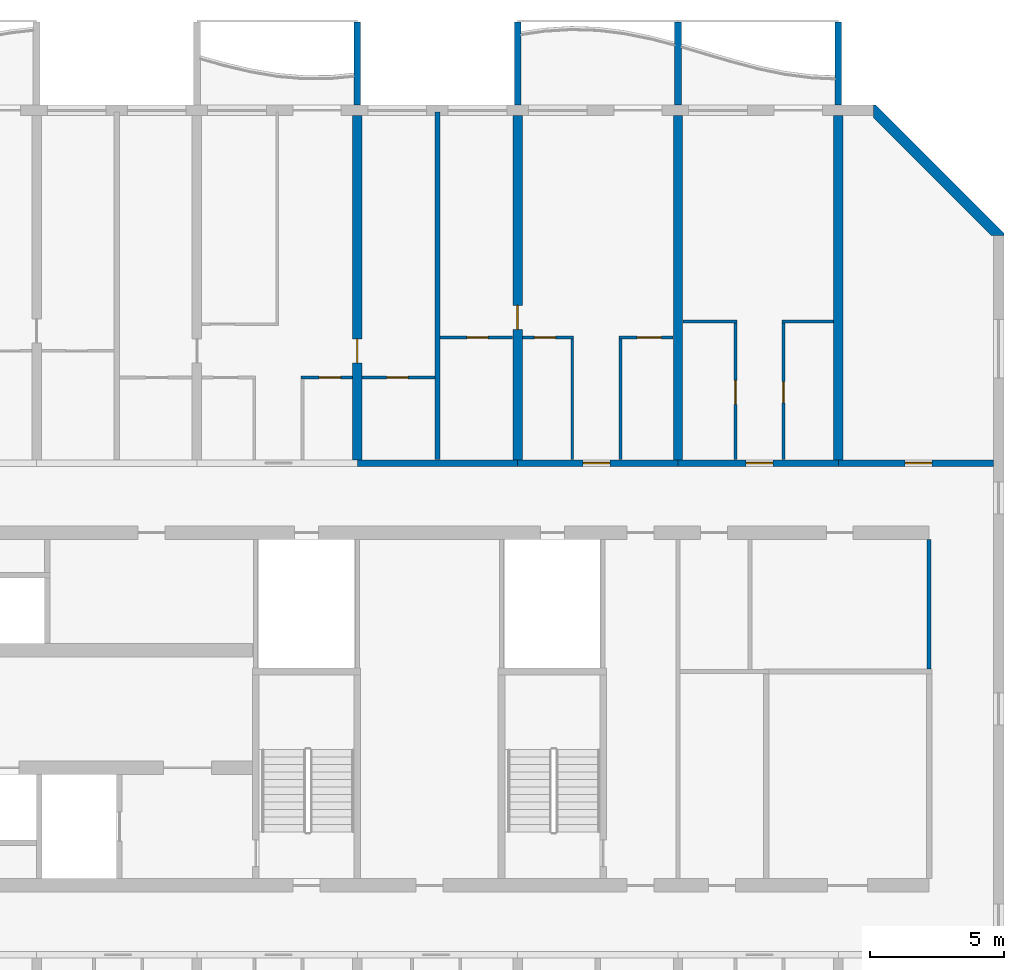
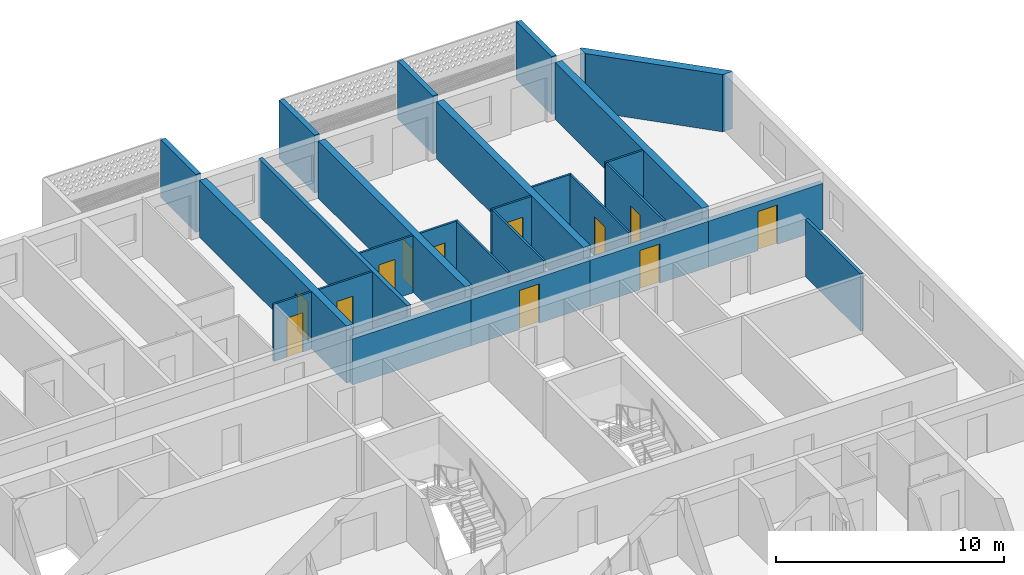
# One storey, part 15 of 27: 26 walls, 12 doors, 12 openings.
"""IFC4 building model written with IfcOpenShell, lengths in metres."""

from ifc_helpers import new_model, si_unit, direction, frame, frame_2d, origin, place, context, subcontext, project, spatial, polyline, rectangle, outline, extrude, source, transform, mapped, material, layer, layer_set, type_object, element, fill, save


model = new_model("IFC4")

# Units and contexts
model_context = context("Model", 3, precision=1e-05, world=origin(), true_north=direction((0.0, 1.0)))
body_context = subcontext(model_context, "Body", "Model", "MODEL_VIEW")
ifc_project = project(units=[si_unit("LENGTHUNIT", "METRE"), si_unit("AREAUNIT", "SQUARE_METRE"), si_unit("VOLUMEUNIT", "CUBIC_METRE"), si_unit("PLANEANGLEUNIT", "RADIAN"), si_unit("MASSUNIT", "GRAM", prefix="KILO")], contexts=[model_context])

# Site, building, storey
site_placement = place(None, origin())
site = spatial("IfcSite", under=ifc_project, at=site_placement, CompositionType="ELEMENT")
building_placement = place(site_placement, origin())
building = spatial("IfcBuilding", under=site, at=building_placement, Name="Poui Terraces", CompositionType="ELEMENT")
storey_placement = place(building_placement, frame((0.0, 0.0, 76.199951171875)))
storey = spatial("IfcBuildingStorey", under=building, at=storey_placement, Name="L20", CompositionType="ELEMENT", Elevation=76.199951171875)

# Walls
ifc_material_1 = material(Name="Fire-rated plasterboard wall")
ifc_layer_1 = layer(ifc_material_1, 0.14990234375)
ifc_layer_set_1 = layer_set([ifc_layer_1], Name="Fire-rated plasterboard wall")
wall_type_1 = type_object("IfcWallType", Name="CORRIDOR WALL 150", PredefinedType="PARTITIONING", material=ifc_layer_set_1)
wall_1_placement = place(storey_placement, frame((93.39990234375, 22.699951171875, 0.0), z_axis=(0.0, 0.0, 1.0), x_axis=(0.0, 1.0, 0.0)))
element("IfcWall", 1, at=wall_1_placement, inside=storey, type_object=wall_type_1, Name="CORRIDOR WALL 150", PredefinedType="PARTITIONING", context=body_context, shape_type="SweptSolid", body=[
    extrude(rectangle(XDim=4.840087890625, YDim=0.14990234375, at=frame_2d((2.419921875, 0.0))), origin(), (0.0, 0.0, 1.0), 3.06005859375),
])
ifc_material_2 = material(Name="Concrete 65 MPa", Category="concrete")
ifc_layer_2 = layer(ifc_material_2, 0.25)
ifc_layer_set_2 = layer_set([ifc_layer_2], Name="Concrete 65 MPa")
wall_type_2 = type_object("IfcWallType", Name="CORRIDOR WALL 250 65MPa", PredefinedType="SHEAR", material=ifc_layer_set_2)
wall_2_placement = place(storey_placement, frame((72.0, 30.39990234375, 0.0), z_axis=(0.0, 0.0, 1.0), x_axis=(1.0, 0.0, 0.0)))
element("IfcWall", 2, at=wall_2_placement, inside=storey, type_object=wall_type_2, Name="CORRIDOR WALL LINE E BAY 12", PredefinedType="SHEAR", context=body_context, shape_type="SweptSolid", body=[
    extrude(rectangle(XDim=6.0, YDim=0.25, at=frame_2d((3.0, 0.0))), origin(), (0.0, 0.0, 1.0), 2.4599609375),
])

# Wall, opening, door
wall_3_placement = place(storey_placement, frame((78.0, 30.39990234375, 0.0), z_axis=(0.0, 0.0, 1.0), x_axis=(1.0, 0.0, 0.0)))
wall_3 = element("IfcWall", 3, at=wall_3_placement, inside=storey, type_object=wall_type_2, Name="CORRIDOR WALL LINE E BAY 13", PredefinedType="SHEAR", context=body_context, shape_type="SweptSolid", body=[
    extrude(rectangle(XDim=6.0, YDim=0.25, at=frame_2d((3.0, 0.0))), origin(), (0.0, 0.0, 1.0), 2.4599609375),
])
opening_1_placement = place(wall_3_placement, frame((2.449951171875, 0.0, 0.0)))
opening_1 = element("IfcOpeningElement", 4, at=opening_1_placement, cuts=wall_3, Name="Opening FD30S", PredefinedType="OPENING", context=body_context, shape_type="SweptSolid", body=[
    extrude(rectangle(XDim=1.0, YDim=2.10009765625, at=frame_2d((0.5, 1.050048828125))), frame((0.0, 0.135009765625, 0.0), z_axis=(0.0, -1.0, 0.0), x_axis=(1.0, 0.0, 0.0)), (0.0, 0.0, 1.0), 0.27001953125),
])
ifc_material_3 = material(Name="Steel fire door", Category="steel")
door_type_1 = type_object("IfcDoorType", Name="FLAT ENTRANCE DOOR 1000 X 2100", OperationType="NOTDEFINED", PredefinedType="DOOR", material=ifc_material_3)
door_1_placement = place(opening_1_placement, origin())
door_1 = element("IfcDoor", 5, at=door_1_placement, inside=storey, type_object=door_type_1, Name="FLAT ENTRANCE DOOR 077", OperationType="SINGLE_SWING_LEFT", OverallHeight=2.10009765625, OverallWidth=1.0, PredefinedType="DOOR", context=body_context, shape_type="SweptSolid", body=[
    extrude(rectangle(XDim=1.0, YDim=2.10009765625, at=frame_2d((0.5, 1.050048828125))), frame((0.0, 0.02490234375, 0.0), z_axis=(0.0, -1.0, 0.0), x_axis=(1.0, 0.0, 0.0)), (0.0, 0.0, 1.0), 0.050048828125),
])
fill(opening_1, door_1)

wall_4_placement = place(storey_placement, frame((84.0, 30.39990234375, 0.0), z_axis=(0.0, 0.0, 1.0), x_axis=(1.0, 0.0, 0.0)))
wall_4 = element("IfcWall", 6, at=wall_4_placement, inside=storey, type_object=wall_type_2, Name="CORRIDOR WALL LINE E BAY 14", PredefinedType="SHEAR", context=body_context, shape_type="SweptSolid", body=[
    extrude(rectangle(XDim=6.0, YDim=0.25, at=frame_2d((3.0, 0.0))), origin(), (0.0, 0.0, 1.0), 2.4599609375),
])
opening_2_placement = place(wall_4_placement, frame((2.550048828125, 0.0, 0.0)))
opening_2 = element("IfcOpeningElement", 7, at=opening_2_placement, cuts=wall_4, Name="Opening FD30S", PredefinedType="OPENING", context=body_context, shape_type="SweptSolid", body=[
    extrude(rectangle(XDim=1.0, YDim=2.10009765625, at=frame_2d((0.5, 1.050048828125))), frame((0.0, 0.135009765625, 0.0), z_axis=(0.0, -1.0, 0.0), x_axis=(1.0, 0.0, 0.0)), (0.0, 0.0, 1.0), 0.27001953125),
])
door_2_placement = place(opening_2_placement, origin())
door_2 = element("IfcDoor", 8, at=door_2_placement, inside=storey, type_object=door_type_1, Name="FLAT ENTRANCE DOOR 080", OperationType="SINGLE_SWING_RIGHT", OverallHeight=2.10009765625, OverallWidth=1.0, PredefinedType="DOOR", context=body_context, shape_type="SweptSolid", body=[
    extrude(rectangle(XDim=1.0, YDim=2.10009765625, at=frame_2d((0.5, 1.050048828125))), frame((0.0, 0.02490234375, 0.0), z_axis=(0.0, -1.0, 0.0), x_axis=(1.0, 0.0, 0.0)), (0.0, 0.0, 1.0), 0.050048828125),
])
fill(opening_2, door_2)

wall_5_placement = place(storey_placement, frame((90.0, 30.39990234375, 0.0), z_axis=(0.0, 0.0, 1.0), x_axis=(1.0, 0.0, 0.0)))
wall_5 = element("IfcWall", 9, at=wall_5_placement, inside=storey, type_object=wall_type_2, Name="CORRIDOR WALL LINE E BAY 15", PredefinedType="SHEAR", context=body_context, shape_type="SweptSolid", body=[
    extrude(rectangle(XDim=5.800048828125, YDim=0.25, at=frame_2d((2.89990234375, 0.0))), origin(), (0.0, 0.0, 1.0), 2.4599609375),
])
opening_3_placement = place(wall_5_placement, frame((2.5, 0.0, 0.0)))
opening_3 = element("IfcOpeningElement", 10, at=opening_3_placement, cuts=wall_5, Name="Opening D100", PredefinedType="OPENING", context=body_context, shape_type="SweptSolid", body=[
    extrude(rectangle(XDim=1.0, YDim=2.10009765625, at=frame_2d((0.5, 1.050048828125))), frame((0.0, 0.135009765625, 0.0), z_axis=(0.0, -1.0, 0.0), x_axis=(1.0, 0.0, 0.0)), (0.0, 0.0, 1.0), 0.27001953125),
])
ifc_material_4 = material(Name="Solid core timber door", Category="wood")
door_type_2 = type_object("IfcDoorType", Name="ACCESSIBLE INTERNAL DOOR 1000 X 2100", OperationType="NOTDEFINED", PredefinedType="DOOR", material=ifc_material_4)
door_3_placement = place(opening_3_placement, origin())
door_3 = element("IfcDoor", 11, at=door_3_placement, inside=storey, type_object=door_type_2, Name="ACCESSIBLE INTERNAL DOOR 082", OperationType="SINGLE_SWING_LEFT", OverallHeight=2.10009765625, OverallWidth=1.0, PredefinedType="DOOR", context=body_context, shape_type="SweptSolid", body=[
    extrude(rectangle(XDim=1.0, YDim=2.10009765625, at=frame_2d((0.5, 1.050048828125))), frame((0.0, 0.02490234375, 0.0), z_axis=(0.0, -1.0, 0.0), x_axis=(1.0, 0.0, 0.0)), (0.0, 0.0, 1.0), 0.050048828125),
])
fill(opening_3, door_3)

ifc_layer_3 = layer(ifc_material_2, 0.35009765625)
ifc_layer_set_3 = layer_set([ifc_layer_3], Name="Concrete 65 MPa")
wall_type_3 = type_object("IfcWallType", Name="CROSS WALL 350 65MPa", PredefinedType="SHEAR", material=ifc_layer_set_3)
wall_6_placement = place(storey_placement, frame((72.0, 30.52490234375, 0.0), z_axis=(0.0, 0.0, 1.0), x_axis=(0.0, 1.0, 0.0)))
wall_6 = element("IfcWall", 12, at=wall_6_placement, inside=storey, type_object=wall_type_3, Name="CROSS WALL LINE 13 NORTH", PredefinedType="SHEAR", context=body_context, shape_type="SweptSolid", body=[
    extrude(rectangle(XDim=12.875, YDim=0.35009765625, at=frame_2d((6.4375, 0.0))), origin(), (0.0, 0.0, 1.0), 3.06005859375),
])
opening_4_placement = place(wall_6_placement, frame((3.625, 0.0, 0.0)))
opening_4 = element("IfcOpeningElement", 13, at=opening_4_placement, cuts=wall_6, Name="Opening D90", PredefinedType="OPENING", context=body_context, shape_type="SweptSolid", body=[
    extrude(rectangle(XDim=0.89990234375, YDim=2.10009765625, at=frame_2d((0.449951171875, 1.050048828125))), frame((0.0, 0.18505859375, 0.0), z_axis=(0.0, -1.0, 0.0), x_axis=(1.0, 0.0, 0.0)), (0.0, 0.0, 1.0), 0.3701171875),
])
door_type_3 = type_object("IfcDoorType", Name="INTERNAL DOOR 900 X 2100", OperationType="NOTDEFINED", PredefinedType="DOOR", material=ifc_material_4)
door_4_placement = place(opening_4_placement, frame((0.89990234375, 0.0, 0.0), z_axis=(0.0, 0.0, 1.0), x_axis=(-1.0, 0.0, 0.0)))
door_4 = element("IfcDoor", 14, at=door_4_placement, inside=storey, type_object=door_type_3, Name="INTERNAL DOOR 073", OperationType="SINGLE_SWING_RIGHT", OverallHeight=2.10009765625, OverallWidth=0.89990234375, PredefinedType="DOOR", context=body_context, shape_type="SweptSolid", body=[
    extrude(rectangle(XDim=0.89990234375, YDim=2.10009765625, at=frame_2d((0.449951171875, 1.050048828125))), frame((0.0, 0.02490234375, 0.0), z_axis=(0.0, -1.0, 0.0), x_axis=(1.0, 0.0, 0.0)), (0.0, 0.0, 1.0), 0.050048828125),
])
fill(opening_4, door_4)

wall_7_placement = place(storey_placement, frame((78.0, 30.52490234375, 0.0), z_axis=(0.0, 0.0, 1.0), x_axis=(0.0, 1.0, 0.0)))
wall_7 = element("IfcWall", 15, at=wall_7_placement, inside=storey, type_object=wall_type_3, Name="CROSS WALL LINE 14 NORTH", PredefinedType="SHEAR", context=body_context, shape_type="SweptSolid", body=[
    extrude(rectangle(XDim=12.875, YDim=0.35009765625, at=frame_2d((6.4375, 0.0))), origin(), (0.0, 0.0, 1.0), 3.06005859375),
])
opening_5_placement = place(wall_7_placement, frame((4.875, 0.0, 0.0)))
opening_5 = element("IfcOpeningElement", 16, at=opening_5_placement, cuts=wall_7, Name="Opening D90", PredefinedType="OPENING", context=body_context, shape_type="SweptSolid", body=[
    extrude(rectangle(XDim=0.89990234375, YDim=2.10009765625, at=frame_2d((0.449951171875, 1.050048828125))), frame((0.0, 0.18505859375, 0.0), z_axis=(0.0, -1.0, 0.0), x_axis=(1.0, 0.0, 0.0)), (0.0, 0.0, 1.0), 0.3701171875),
])
door_5_placement = place(opening_5_placement, origin())
door_5 = element("IfcDoor", 17, at=door_5_placement, inside=storey, type_object=door_type_3, Name="INTERNAL DOOR 075", OperationType="SINGLE_SWING_LEFT", OverallHeight=2.10009765625, OverallWidth=0.89990234375, PredefinedType="DOOR", context=body_context, shape_type="SweptSolid", body=[
    extrude(rectangle(XDim=0.89990234375, YDim=2.10009765625, at=frame_2d((0.449951171875, 1.050048828125))), frame((0.0, 0.02490234375, 0.0), z_axis=(0.0, -1.0, 0.0), x_axis=(1.0, 0.0, 0.0)), (0.0, 0.0, 1.0), 0.050048828125),
])
fill(opening_5, door_5)

# Walls
for number, where, z_axis, x_axis, name in (
    (18, (84.0, 30.52490234375, 0.0), (0.0, 0.0, 1.0), (0.0, 1.0, 0.0), "CROSS WALL LINE 15 NORTH"),
    (19, (90.0, 30.52490234375, 0.0), (0.0, 0.0, 1.0), (0.0, 1.0, 0.0), "CROSS WALL LINE 16 NORTH"),
):
    element("IfcWall", number, at=place(storey_placement, frame(where, z_axis=z_axis, x_axis=x_axis)), inside=storey, type_object=wall_type_3, Name=name, PredefinedType="SHEAR", context=body_context, shape_type="SweptSolid", body=[
        extrude(rectangle(XDim=12.875, YDim=0.35009765625, at=frame_2d((6.4375, 0.0))), origin(), (0.0, 0.0, 1.0), 3.06005859375),
    ])

# Wall, opening, door
ifc_material_5 = material(Name="Plasterboard partition")
ifc_layer_4 = layer(ifc_material_5, 0.10009765625)
ifc_layer_set_4 = layer_set([ifc_layer_4], Name="Plasterboard partition")
wall_type_4 = type_object("IfcWallType", Name="FLAT PARTITION 100", PredefinedType="PARTITIONING", material=ifc_layer_set_4)
wall_8_placement = place(storey_placement, frame((69.89990234375, 33.60009765625, 0.0), z_axis=(0.0, 0.0, 1.0), x_axis=(1.0, 0.0, 0.0)))
wall_8 = element("IfcWall", 20, at=wall_8_placement, inside=storey, type_object=wall_type_4, Name="FLAT PARTITION 100", PredefinedType="PARTITIONING", context=body_context, shape_type="SweptSolid", body=[
    extrude(rectangle(XDim=1.9150390625, YDim=0.10009765625, at=frame_2d((0.95751953125, 0.0))), origin(), (0.0, 0.0, 1.0), 3.06005859375),
])
opening_6_placement = place(wall_8_placement, frame((0.675048828125, 0.0, 0.0)))
opening_6 = element("IfcOpeningElement", 21, at=opening_6_placement, cuts=wall_8, Name="Opening D80", PredefinedType="OPENING", context=body_context, shape_type="SweptSolid", body=[
    extrude(rectangle(XDim=0.800048828125, YDim=2.10009765625, at=frame_2d((0.39990234375, 1.050048828125))), frame((0.0, 0.06005859375, 0.0), z_axis=(0.0, -1.0, 0.0), x_axis=(1.0, 0.0, 0.0)), (0.0, 0.0, 1.0), 0.1201171875),
])
door_type_4 = type_object("IfcDoorType", Name="BATHROOM, LAUNDRY AND STORE DOOR 800 X 2100", OperationType="NOTDEFINED", PredefinedType="DOOR", material=ifc_material_4)
door_6_placement = place(opening_6_placement, frame((0.800048828125, 0.0, 0.0), z_axis=(0.0, 0.0, 1.0), x_axis=(-1.0, 0.0, 0.0)))
door_6 = element("IfcDoor", 22, at=door_6_placement, inside=storey, type_object=door_type_4, Name="BATHROOM, LAUNDRY AND STORE DOOR 072", OperationType="SINGLE_SWING_LEFT", OverallHeight=2.10009765625, OverallWidth=0.800048828125, PredefinedType="DOOR", context=body_context, shape_type="SweptSolid", body=[
    extrude(rectangle(XDim=0.800048828125, YDim=2.10009765625, at=frame_2d((0.39990234375, 1.050048828125))), frame((0.0, 0.02490234375, 0.0), z_axis=(0.0, -1.0, 0.0), x_axis=(1.0, 0.0, 0.0)), (0.0, 0.0, 1.0), 0.050048828125),
])
fill(opening_6, door_6)

wall_9_placement = place(storey_placement, frame((72.18505859375, 33.60009765625, 0.0), z_axis=(0.0, 0.0, 1.0), x_axis=(1.0, 0.0, 0.0)))
wall_9 = element("IfcWall", 23, at=wall_9_placement, inside=storey, type_object=wall_type_4, Name="FLAT PARTITION 100", PredefinedType="PARTITIONING", context=body_context, shape_type="SweptSolid", body=[
    extrude(rectangle(XDim=2.71484375, YDim=0.10009765625, at=frame_2d((1.357421875, 0.0))), origin(), (0.0, 0.0, 1.0), 3.06005859375),
])
opening_7_placement = place(wall_9_placement, frame((0.9150390625, 0.0, 0.0)))
opening_7 = element("IfcOpeningElement", 24, at=opening_7_placement, cuts=wall_9, Name="Opening D80", PredefinedType="OPENING", context=body_context, shape_type="SweptSolid", body=[
    extrude(rectangle(XDim=0.800048828125, YDim=2.10009765625, at=frame_2d((0.39990234375, 1.050048828125))), frame((0.0, 0.06005859375, 0.0), z_axis=(0.0, -1.0, 0.0), x_axis=(1.0, 0.0, 0.0)), (0.0, 0.0, 1.0), 0.1201171875),
])
door_7_placement = place(opening_7_placement, frame((0.800048828125, 0.0, 0.0), z_axis=(0.0, 0.0, 1.0), x_axis=(-1.0, 0.0, 0.0)))
door_7 = element("IfcDoor", 25, at=door_7_placement, inside=storey, type_object=door_type_4, Name="BATHROOM, LAUNDRY AND STORE DOOR 067", OperationType="SINGLE_SWING_RIGHT", OverallHeight=2.10009765625, OverallWidth=0.800048828125, PredefinedType="DOOR", context=body_context, shape_type="SweptSolid", body=[
    extrude(rectangle(XDim=0.800048828125, YDim=2.10009765625, at=frame_2d((0.39990234375, 1.050048828125))), frame((0.0, 0.02490234375, 0.0), z_axis=(0.0, -1.0, 0.0), x_axis=(1.0, 0.0, 0.0)), (0.0, 0.0, 1.0), 0.050048828125),
])
fill(opening_7, door_7)

wall_10_placement = place(storey_placement, frame((75.10009765625, 35.10009765625, 0.0), z_axis=(0.0, 0.0, 1.0), x_axis=(1.0, 0.0, 0.0)))
wall_10 = element("IfcWall", 26, at=wall_10_placement, inside=storey, type_object=wall_type_4, Name="FLAT PARTITION 100", PredefinedType="PARTITIONING", context=body_context, shape_type="SweptSolid", body=[
    extrude(rectangle(XDim=2.71484375, YDim=0.10009765625, at=frame_2d((1.357421875, 0.0))), origin(), (0.0, 0.0, 1.0), 3.06005859375),
])
opening_8_placement = place(wall_10_placement, frame((1.0, 0.0, 0.0)))
opening_8 = element("IfcOpeningElement", 27, at=opening_8_placement, cuts=wall_10, Name="Opening D80", PredefinedType="OPENING", context=body_context, shape_type="SweptSolid", body=[
    extrude(rectangle(XDim=0.800048828125, YDim=2.10009765625, at=frame_2d((0.39990234375, 1.050048828125))), frame((0.0, 0.06005859375, 0.0), z_axis=(0.0, -1.0, 0.0), x_axis=(1.0, 0.0, 0.0)), (0.0, 0.0, 1.0), 0.1201171875),
])
door_8_placement = place(opening_8_placement, frame((0.800048828125, 0.0, 0.0), z_axis=(0.0, 0.0, 1.0), x_axis=(-1.0, 0.0, 0.0)))
door_8 = element("IfcDoor", 28, at=door_8_placement, inside=storey, type_object=door_type_4, Name="BATHROOM, LAUNDRY AND STORE DOOR 074", OperationType="SINGLE_SWING_LEFT", OverallHeight=2.10009765625, OverallWidth=0.800048828125, PredefinedType="DOOR", context=body_context, shape_type="SweptSolid", body=[
    extrude(rectangle(XDim=0.800048828125, YDim=2.10009765625, at=frame_2d((0.39990234375, 1.050048828125))), frame((0.0, 0.02490234375, 0.0), z_axis=(0.0, -1.0, 0.0), x_axis=(1.0, 0.0, 0.0)), (0.0, 0.0, 1.0), 0.050048828125),
])
fill(opening_8, door_8)

wall_11_placement = place(storey_placement, frame((78.18505859375, 35.10009765625, 0.0), z_axis=(0.0, 0.0, 1.0), x_axis=(1.0, 0.0, 0.0)))
wall_11 = element("IfcWall", 29, at=wall_11_placement, inside=storey, type_object=wall_type_4, Name="FLAT PARTITION 100", PredefinedType="PARTITIONING", context=body_context, shape_type="SweptSolid", body=[
    extrude(rectangle(XDim=1.9150390625, YDim=0.10009765625, at=frame_2d((0.95751953125, 0.0))), origin(), (0.0, 0.0, 1.0), 3.06005859375),
])
opening_9_placement = place(wall_11_placement, frame((0.43994140625, 0.0, 0.0)))
opening_9 = element("IfcOpeningElement", 30, at=opening_9_placement, cuts=wall_11, Name="Opening D80", PredefinedType="OPENING", context=body_context, shape_type="SweptSolid", body=[
    extrude(rectangle(XDim=0.800048828125, YDim=2.10009765625, at=frame_2d((0.39990234375, 1.050048828125))), frame((0.0, 0.06005859375, 0.0), z_axis=(0.0, -1.0, 0.0), x_axis=(1.0, 0.0, 0.0)), (0.0, 0.0, 1.0), 0.1201171875),
])
door_9_placement = place(opening_9_placement, frame((0.800048828125, 0.0, 0.0), z_axis=(0.0, 0.0, 1.0), x_axis=(-1.0, 0.0, 0.0)))
door_9 = element("IfcDoor", 31, at=door_9_placement, inside=storey, type_object=door_type_4, Name="BATHROOM, LAUNDRY AND STORE DOOR 076", OperationType="SINGLE_SWING_RIGHT", OverallHeight=2.10009765625, OverallWidth=0.800048828125, PredefinedType="DOOR", context=body_context, shape_type="SweptSolid", body=[
    extrude(rectangle(XDim=0.800048828125, YDim=2.10009765625, at=frame_2d((0.39990234375, 1.050048828125))), frame((0.0, 0.02490234375, 0.0), z_axis=(0.0, -1.0, 0.0), x_axis=(1.0, 0.0, 0.0)), (0.0, 0.0, 1.0), 0.050048828125),
])
fill(opening_9, door_9)

wall_12_placement = place(storey_placement, frame((81.800048828125, 35.10009765625, 0.0), z_axis=(0.0, 0.0, 1.0), x_axis=(1.0, 0.0, 0.0)))
wall_12 = element("IfcWall", 32, at=wall_12_placement, inside=storey, type_object=wall_type_4, Name="FLAT PARTITION 100", PredefinedType="PARTITIONING", context=body_context, shape_type="SweptSolid", body=[
    extrude(rectangle(XDim=2.014892578125, YDim=0.10009765625, at=frame_2d((1.00732421875, 0.0))), origin(), (0.0, 0.0, 1.0), 3.06005859375),
])
opening_10_placement = place(wall_12_placement, frame((0.675048828125, 0.0, 0.0)))
opening_10 = element("IfcOpeningElement", 33, at=opening_10_placement, cuts=wall_12, Name="Opening D90", PredefinedType="OPENING", context=body_context, shape_type="SweptSolid", body=[
    extrude(rectangle(XDim=0.89990234375, YDim=2.10009765625, at=frame_2d((0.449951171875, 1.050048828125))), frame((0.0, 0.06005859375, 0.0), z_axis=(0.0, -1.0, 0.0), x_axis=(1.0, 0.0, 0.0)), (0.0, 0.0, 1.0), 0.1201171875),
])
door_10_placement = place(opening_10_placement, frame((0.89990234375, 0.0, 0.0), z_axis=(0.0, 0.0, 1.0), x_axis=(-1.0, 0.0, 0.0)))
door_10 = element("IfcDoor", 34, at=door_10_placement, inside=storey, type_object=door_type_3, Name="INTERNAL DOOR 078", OperationType="SINGLE_SWING_LEFT", OverallHeight=2.10009765625, OverallWidth=0.89990234375, PredefinedType="DOOR", context=body_context, shape_type="SweptSolid", body=[
    extrude(rectangle(XDim=0.89990234375, YDim=2.10009765625, at=frame_2d((0.449951171875, 1.050048828125))), frame((0.0, 0.02490234375, 0.0), z_axis=(0.0, -1.0, 0.0), x_axis=(1.0, 0.0, 0.0)), (0.0, 0.0, 1.0), 0.050048828125),
])
fill(opening_10, door_10)

# Walls
wall_13_placement = place(storey_placement, frame((84.18505859375, 35.699951171875, 0.0), z_axis=(0.0, 0.0, 1.0), x_axis=(1.0, 0.0, 0.0)))
element("IfcWall", 35, at=wall_13_placement, inside=storey, type_object=wall_type_4, Name="FLAT PARTITION 100", PredefinedType="PARTITIONING", context=body_context, shape_type="SweptSolid", body=[
    extrude(rectangle(XDim=2.014892578125, YDim=0.10009765625, at=frame_2d((1.00732421875, 0.0))), origin(), (0.0, 0.0, 1.0), 3.06005859375),
])
wall_14_placement = place(storey_placement, frame((87.89990234375, 35.699951171875, 0.0), z_axis=(0.0, 0.0, 1.0), x_axis=(1.0, 0.0, 0.0)))
element("IfcWall", 36, at=wall_14_placement, inside=storey, type_object=wall_type_4, Name="FLAT PARTITION 100", PredefinedType="PARTITIONING", context=body_context, shape_type="SweptSolid", body=[
    extrude(rectangle(XDim=1.9150390625, YDim=0.10009765625, at=frame_2d((0.95751953125, 0.0))), origin(), (0.0, 0.0, 1.0), 3.06005859375),
])
for number, where, z_axis, x_axis, name in (
    (37, (80.050048828125, 30.534912109375, 0.0), (0.0, 0.0, 1.0), (0.0, 1.0, 0.0), "FLAT PARTITION 100"),
    (38, (81.85009765625, 30.534912109375, 0.0), (0.0, 0.0, 1.0), (0.0, 1.0, 0.0), "FLAT PARTITION 100"),
):
    element("IfcWall", number, at=place(storey_placement, frame(where, z_axis=z_axis, x_axis=x_axis)), inside=storey, type_object=wall_type_4, Name=name, PredefinedType="PARTITIONING", context=body_context, shape_type="SweptSolid", body=[
        extrude(rectangle(XDim=4.51513671875, YDim=0.10009765625, at=frame_2d((2.257568359375, 0.0))), origin(), (0.0, 0.0, 1.0), 3.06005859375),
    ])

# Wall, opening, door
wall_15_placement = place(storey_placement, frame((86.14990234375, 30.534912109375, 0.0), z_axis=(0.0, 0.0, 1.0), x_axis=(0.0, 1.0, 0.0)))
wall_15 = element("IfcWall", 39, at=wall_15_placement, inside=storey, type_object=wall_type_4, Name="FLAT PARTITION 100", PredefinedType="PARTITIONING", context=body_context, shape_type="SweptSolid", body=[
    extrude(rectangle(XDim=5.114990234375, YDim=0.10009765625, at=frame_2d((2.5576171875, 0.0))), origin(), (0.0, 0.0, 1.0), 3.06005859375),
])
opening_11_placement = place(wall_15_placement, frame((2.06494140625, 0.0, 0.0)))
opening_11 = element("IfcOpeningElement", 40, at=opening_11_placement, cuts=wall_15, Name="Opening D90", PredefinedType="OPENING", context=body_context, shape_type="SweptSolid", body=[
    extrude(rectangle(XDim=0.89990234375, YDim=2.10009765625, at=frame_2d((0.449951171875, 1.050048828125))), frame((0.0, 0.06005859375, 0.0), z_axis=(0.0, -1.0, 0.0), x_axis=(1.0, 0.0, 0.0)), (0.0, 0.0, 1.0), 0.1201171875),
])
door_11_placement = place(opening_11_placement, origin())
door_11 = element("IfcDoor", 41, at=door_11_placement, inside=storey, type_object=door_type_3, Name="INTERNAL DOOR 079", OperationType="SINGLE_SWING_RIGHT", OverallHeight=2.10009765625, OverallWidth=0.89990234375, PredefinedType="DOOR", context=body_context, shape_type="SweptSolid", body=[
    extrude(rectangle(XDim=0.89990234375, YDim=2.10009765625, at=frame_2d((0.449951171875, 1.050048828125))), frame((0.0, 0.02490234375, 0.0), z_axis=(0.0, -1.0, 0.0), x_axis=(1.0, 0.0, 0.0)), (0.0, 0.0, 1.0), 0.050048828125),
])
fill(opening_11, door_11)

wall_16_placement = place(storey_placement, frame((87.949951171875, 30.534912109375, 0.0), z_axis=(0.0, 0.0, 1.0), x_axis=(0.0, 1.0, 0.0)))
wall_16 = element("IfcWall", 42, at=wall_16_placement, inside=storey, type_object=wall_type_4, Name="FLAT PARTITION 100", PredefinedType="PARTITIONING", context=body_context, shape_type="SweptSolid", body=[
    extrude(rectangle(XDim=5.114990234375, YDim=0.10009765625, at=frame_2d((2.5576171875, 0.0))), origin(), (0.0, 0.0, 1.0), 3.06005859375),
])
opening_12_placement = place(wall_16_placement, frame((2.114990234375, 0.0, 0.0)))
opening_12 = element("IfcOpeningElement", 43, at=opening_12_placement, cuts=wall_16, Name="Opening D80", PredefinedType="OPENING", context=body_context, shape_type="SweptSolid", body=[
    extrude(rectangle(XDim=0.800048828125, YDim=2.10009765625, at=frame_2d((0.39990234375, 1.050048828125))), frame((0.0, 0.06005859375, 0.0), z_axis=(0.0, -1.0, 0.0), x_axis=(1.0, 0.0, 0.0)), (0.0, 0.0, 1.0), 0.1201171875),
])
door_12_placement = place(opening_12_placement, frame((0.800048828125, 0.0, 0.0), z_axis=(0.0, 0.0, 1.0), x_axis=(-1.0, 0.0, 0.0)))
door_12 = element("IfcDoor", 44, at=door_12_placement, inside=storey, type_object=door_type_4, Name="BATHROOM, LAUNDRY AND STORE DOOR 081", OperationType="SINGLE_SWING_RIGHT", OverallHeight=2.10009765625, OverallWidth=0.800048828125, PredefinedType="DOOR", context=body_context, shape_type="SweptSolid", body=[
    extrude(rectangle(XDim=0.800048828125, YDim=2.10009765625, at=frame_2d((0.39990234375, 1.050048828125))), frame((0.0, 0.02490234375, 0.0), z_axis=(0.0, -1.0, 0.0), x_axis=(1.0, 0.0, 0.0)), (0.0, 0.0, 1.0), 0.050048828125),
])
fill(opening_12, door_12)

# Walls
ifc_material_6 = material(Name="Fire-rated masonry wall", Category="masonry")
ifc_layer_5 = layer(ifc_material_6, 0.199951171875)
ifc_layer_set_5 = layer_set([ifc_layer_5], Name="Fire-rated masonry wall")
wall_type_5 = type_object("IfcWallType", Name="FLAT PARTY WALL 200", PredefinedType="PARTITIONING", material=ifc_layer_set_5)
wall_17_placement = place(storey_placement, frame((75.0, 30.534912109375, 0.0), z_axis=(0.0, 0.0, 1.0), x_axis=(0.0, 1.0, 0.0)))
element("IfcWall", 45, at=wall_17_placement, inside=storey, type_object=wall_type_5, Name="FLAT PARTY WALL 200", PredefinedType="PARTITIONING", context=body_context, shape_type="SweptSolid", body=[
    extrude(rectangle(XDim=13.005126953125, YDim=0.199951171875, at=frame_2d((6.50244140625, 0.0))), origin(), (0.0, 0.0, 1.0), 3.06005859375),
])
ifc_material_7 = material(Name="Precast concrete 40 MPa", Category="concrete")
ifc_layer_6 = layer(ifc_material_7, 0.39990234375)
ifc_layer_set_6 = layer_set([ifc_layer_6], Name="Precast concrete 40 MPa")
wall_type_6 = type_object("IfcWallType", Name="TERRACOTTA CLAD CHAMFER WALL 400", PredefinedType="STANDARD", material=ifc_layer_set_6)
wall_18_placement = place(storey_placement, origin())
element("IfcWall", 46, at=wall_18_placement, inside=storey, type_object=wall_type_6, Name="CHAMFER WALL CH03", PredefinedType="STANDARD", context=body_context, shape_type="SweptSolid", body=[
    extrude(outline(polyline([(96.199951171875, 38.917236328125), (96.199951171875, 39.0), (91.39990234375, 43.800048828125), (91.317138671875, 43.800048828125), (91.317138671875, 43.317138671875), (95.71728515625, 38.917236328125), (96.199951171875, 38.917236328125)])), origin(), (0.0, 0.0, 1.0), 3.06005859375),
])
ifc_layer_7 = layer(ifc_material_7, 0.25)
ifc_layer_set_7 = layer_set([ifc_layer_7], Name="Precast concrete 40 MPa")
wall_type_7 = type_object("IfcWallType", Name="BALCONY FIN 250", PredefinedType="STANDARD", material=ifc_layer_set_7)
shared_shape = source(origin(), body_context, "Body", "SweptSolid", [
    extrude(outline(polyline([(0.0, 0.0), (0.25, 0.0), (0.25, 3.099853515625), (0.0, 3.099853515625), (0.0, 0.0)])), origin(), (0.0, 0.0, 1.0), 3.10009765625),
])
for number, where, name in (
    (47, (71.875, 43.800048828125, 0.0), "BALCONY FIN"),
    (48, (77.875, 43.800048828125, 0.0), "BALCONY FIN"),
    (49, (83.875, 43.800048828125, 0.0), "BALCONY FIN"),
    (50, (89.875, 43.800048828125, 0.0), "BALCONY FIN"),
):
    element("IfcWall", number, at=place(storey_placement, frame(where)), inside=storey, type_object=wall_type_7, Name=name, PredefinedType="STANDARD", context=body_context, shape_type="MappedRepresentation", body=[
        mapped(shared_shape, transform((0.0, 0.0, 0.0))),
    ])

save(model, "model.ifc")
